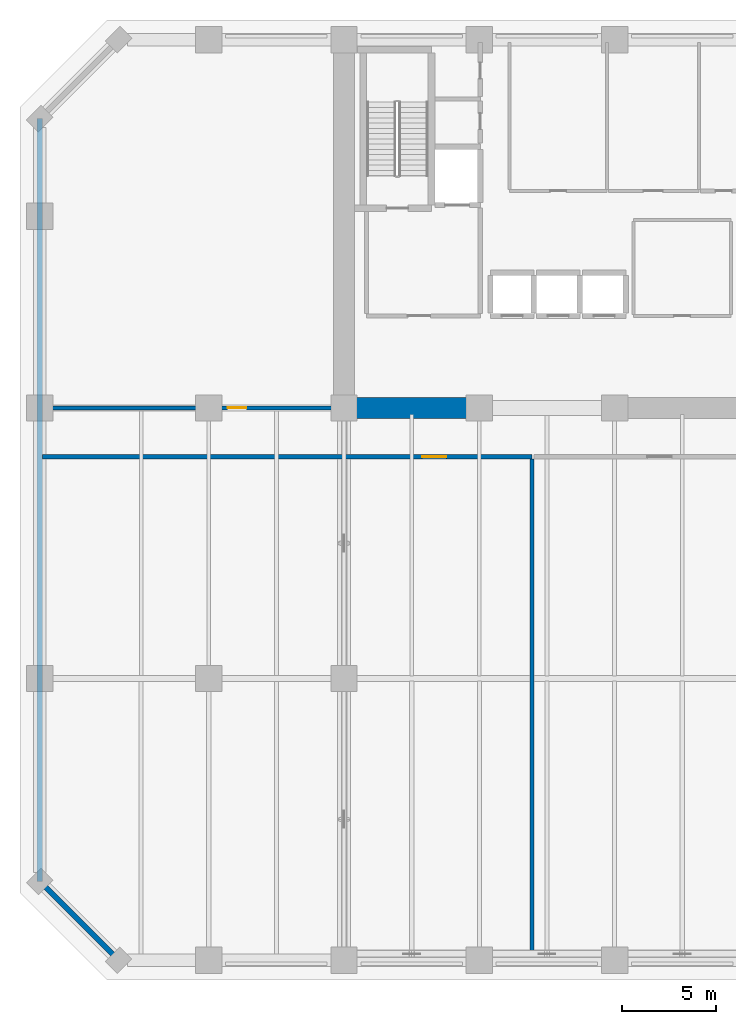
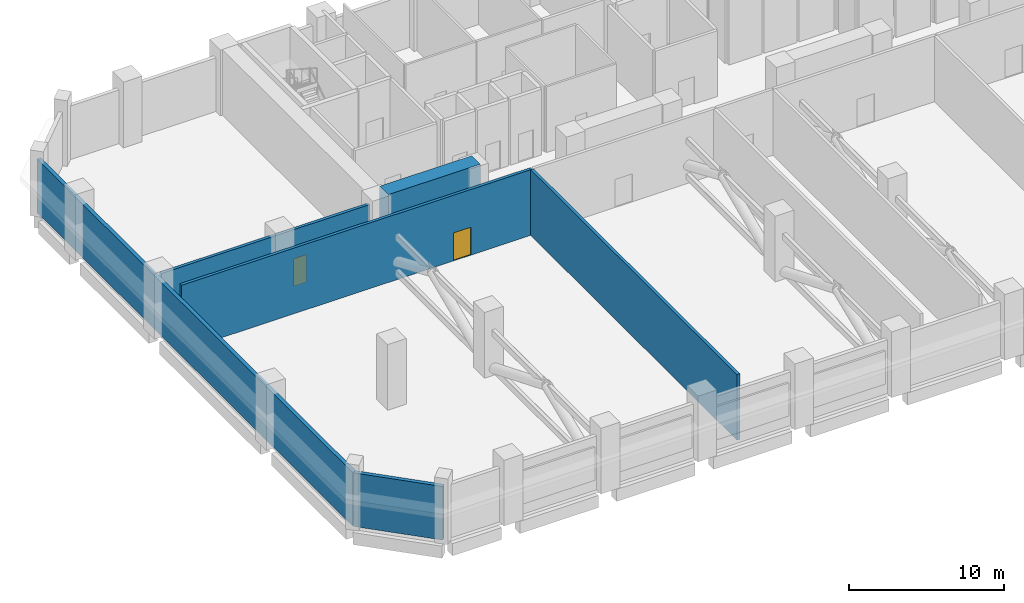
# One storey, part 7 of 15: 6 walls, 2 doors, 2 openings.
"""IFC4 building model written with IfcOpenShell, lengths in metres."""

from ifc_helpers import new_model, si_unit, direction, frame, frame_2d, origin, place, context, subcontext, project, spatial, rectangle, extrude, material, layer, layer_set, type_object, element, fill, save


model = new_model("IFC4")

# Units and contexts
model_context = context("Model", 3, precision=1e-05, world=origin(), true_north=direction((0.0, 1.0)))
body_context = subcontext(model_context, "Body", "Model", "MODEL_VIEW")
ifc_project = project(units=[si_unit("LENGTHUNIT", "METRE"), si_unit("AREAUNIT", "SQUARE_METRE"), si_unit("VOLUMEUNIT", "CUBIC_METRE"), si_unit("PLANEANGLEUNIT", "RADIAN"), si_unit("MASSUNIT", "GRAM", prefix="KILO")], contexts=[model_context])

# Site, building, storey
site_placement = place(None, origin())
site = spatial("IfcSite", under=ifc_project, at=site_placement, CompositionType="ELEMENT")
building_placement = place(site_placement, origin())
building = spatial("IfcBuilding", under=site, at=building_placement, Name="Kaelvorn Grand Hotel", CompositionType="ELEMENT")
storey_placement = place(building_placement, frame((0.0, 0.0, 80.14990234375)))
storey = spatial("IfcBuildingStorey", under=building, at=storey_placement, Name="L18", CompositionType="ELEMENT", Elevation=80.14990234375)

# Walls
ifc_material_1 = material(Name="Concrete C80/95", Category="concrete")
ifc_layer_1 = layer(ifc_material_1, 1.10009765625)
ifc_layer_set_1 = layer_set([ifc_layer_1], Name="Concrete C80/95")
wall_type_1 = type_object("IfcWallType", Name="WL-CORE-1100-C80", PredefinedType="SHEAR", material=ifc_layer_set_1)
wall_1_placement = place(storey_placement, frame((16.7548828125, 29.39990234375, 0.0), z_axis=(0.0, 0.0, 1.0), x_axis=(1.0, 0.0, 0.0)))
element("IfcWall", 1, at=wall_1_placement, inside=storey, type_object=wall_type_1, Name="L18 Rear-Core Coupled Shear Pier S1", PredefinedType="SHEAR", context=body_context, shape_type="SweptSolid", body=[
    extrude(rectangle(XDim=6.84521484375, YDim=1.10009765625, at=frame_2d((3.422607421875, 0.0))), origin(), (0.0, 0.0, 1.0), 5.16015625),
])
ifc_material_2 = material(Name="Concrete C40/50", Category="concrete")
ifc_layer_2 = layer(ifc_material_2, 0.280029296875)
ifc_layer_set_2 = layer_set([ifc_layer_2], Name="Concrete C40/50")
wall_type_2 = type_object("IfcWallType", Name="WL-EXT-280-C40", PredefinedType="SOLIDWALL", material=ifc_layer_set_2)
wall_2_placement = place(storey_placement, frame((0.0, 44.800048828125, 0.0), z_axis=(0.0, 0.0, 1.0), x_axis=(0.0, -1.0, 0.0)))
element("IfcWall", 2, at=wall_2_placement, inside=storey, type_object=wall_type_2, Name="L18 Exterior Architectural Concrete Wall 07", PredefinedType="SOLIDWALL", context=body_context, shape_type="SweptSolid", body=[
    extrude(rectangle(XDim=40.60009765625, YDim=0.280029296875, at=frame_2d((20.300048828125, 0.0))), origin(), (0.0, 0.0, 1.0), 4.210205078125),
])
wall_3_placement = place(storey_placement, frame((0.0, 4.199951171875, 0.0), z_axis=(0.0, 0.0, 1.0), x_axis=(0.707106781187, -0.707106781187, 0.0)))
element("IfcWall", 3, at=wall_3_placement, inside=storey, type_object=wall_type_2, Name="L18 Exterior Architectural Concrete Wall 08", PredefinedType="SOLIDWALL", context=body_context, shape_type="SweptSolid", body=[
    extrude(rectangle(XDim=5.939697265625, YDim=0.280029296875, at=frame_2d((2.9697265625, 0.0))), origin(), (0.0, 0.0, 1.0), 4.210205078125),
])

# Wall, opening, door
ifc_layer_3 = layer(ifc_material_2, 0.219970703125)
ifc_layer_set_3 = layer_set([ifc_layer_3], Name="Concrete C40/50")
wall_type_3 = type_object("IfcWallType", Name="WL-PART-220-EI120", PredefinedType="PARTITIONING", material=ifc_layer_set_3)
wall_4_placement = place(storey_placement, frame((0.14990234375, 29.39990234375, 0.0), z_axis=(0.0, 0.0, 1.0), x_axis=(1.0, 0.0, 0.0)))
wall_4 = element("IfcWall", 4, at=wall_4_placement, inside=storey, type_object=wall_type_3, Name="L18 North-West Refuge Area S Partition", PredefinedType="PARTITIONING", context=body_context, shape_type="SweptSolid", body=[
    extrude(rectangle(XDim=15.4951171875, YDim=0.219970703125, at=frame_2d((7.74755859375, 0.0))), origin(), (0.0, 0.0, 1.0), 4.510009765625),
])
opening_1_placement = place(wall_4_placement, frame((9.85009765625, 0.0, 0.0)))
opening_1 = element("IfcOpeningElement", 5, at=opening_1_placement, cuts=wall_4, Name="Opening DI3", PredefinedType="OPENING", context=body_context, shape_type="SweptSolid", body=[
    extrude(rectangle(XDim=1.0, YDim=2.14990234375, at=frame_2d((0.5, 1.074951171875))), frame((0.0, 0.1201171875, 0.0), z_axis=(0.0, -1.0, 0.0), x_axis=(1.0, 0.0, 0.0)), (0.0, 0.0, 1.0), 0.239990234375),
])
ifc_material_3 = material(Name="Timber Veneer Fire Leaf", Category="wood")
door_type_1 = type_object("IfcDoorType", Name="DR-INT-GUEST-1000x2150", OperationType="NOTDEFINED", PredefinedType="DOOR", material=ifc_material_3)
door_1_placement = place(opening_1_placement, origin())
door_1 = element("IfcDoor", 6, at=door_1_placement, inside=storey, type_object=door_type_1, Name="L18 North-West Refuge Area Door", OperationType="SINGLE_SWING_LEFT", OverallHeight=2.14990234375, OverallWidth=1.0, PredefinedType="DOOR", context=body_context, shape_type="SweptSolid", body=[
    extrude(rectangle(XDim=1.0, YDim=2.14990234375, at=frame_2d((0.5, 1.074951171875))), frame((0.0, 0.02490234375, 0.0), z_axis=(0.0, -1.0, 0.0), x_axis=(1.0, 0.0, 0.0)), (0.0, 0.0, 1.0), 0.050048828125),
])
fill(opening_1, door_1)

wall_5_placement = place(storey_placement, frame((0.14990234375, 26.800048828125, 0.0), z_axis=(0.0, 0.0, 1.0), x_axis=(1.0, 0.0, 0.0)))
wall_5 = element("IfcWall", 7, at=wall_5_placement, inside=storey, type_object=wall_type_3, Name="L18 Chilled-Water Heat Exchanger Plant Room N Partition", PredefinedType="PARTITIONING", context=body_context, shape_type="SweptSolid", body=[
    extrude(rectangle(XDim=26.050048828125, YDim=0.219970703125, at=frame_2d((13.02490234375, 0.0))), origin(), (0.0, 0.0, 1.0), 5.16015625),
])
opening_2_placement = place(wall_5_placement, frame((20.199951171875, 0.0, 0.0)))
opening_2 = element("IfcOpeningElement", 8, at=opening_2_placement, cuts=wall_5, Name="Opening DI6", PredefinedType="OPENING", context=body_context, shape_type="SweptSolid", body=[
    extrude(rectangle(XDim=1.300048828125, YDim=2.199951171875, at=frame_2d((0.64990234375, 1.10009765625))), frame((0.0, 0.1201171875, 0.0), z_axis=(0.0, -1.0, 0.0), x_axis=(1.0, 0.0, 0.0)), (0.0, 0.0, 1.0), 0.239990234375),
])
ifc_material_4 = material(Name="Powder-Coated Steel Leaf", Category="steel")
door_type_2 = type_object("IfcDoorType", Name="DR-INT-PLANT-1300x2200", OperationType="DOUBLE_DOOR_SINGLE_SWING", PredefinedType="DOOR", material=ifc_material_4)
door_2_placement = place(opening_2_placement, origin())
door_2 = element("IfcDoor", 9, at=door_2_placement, inside=storey, type_object=door_type_2, Name="L18 Chilled-Water Heat Exchanger Plant Room Door", OperationType="DOUBLE_DOOR_SINGLE_SWING", OverallHeight=2.199951171875, OverallWidth=1.300048828125, PredefinedType="DOOR", context=body_context, shape_type="SweptSolid", body=[
    extrude(rectangle(XDim=1.300048828125, YDim=2.199951171875, at=frame_2d((0.64990234375, 1.10009765625))), frame((0.0, 0.02490234375, 0.0), z_axis=(0.0, -1.0, 0.0), x_axis=(1.0, 0.0, 0.0)), (0.0, 0.0, 1.0), 0.050048828125),
])
fill(opening_2, door_2)

# Wall
wall_6_placement = place(storey_placement, frame((26.199951171875, 0.14990234375, 0.0), z_axis=(0.0, 0.0, 1.0), x_axis=(0.0, 1.0, 0.0)))
element("IfcWall", 10, at=wall_6_placement, inside=storey, type_object=wall_type_3, Name="L18 Chilled-Water Heat Exchanger Plant Room E Partition", PredefinedType="PARTITIONING", context=body_context, shape_type="SweptSolid", body=[
    extrude(rectangle(XDim=26.53515625, YDim=0.219970703125, at=frame_2d((13.267578125, 0.0))), origin(), (0.0, 0.0, 1.0), 5.16015625),
])

save(model, "model.ifc")
